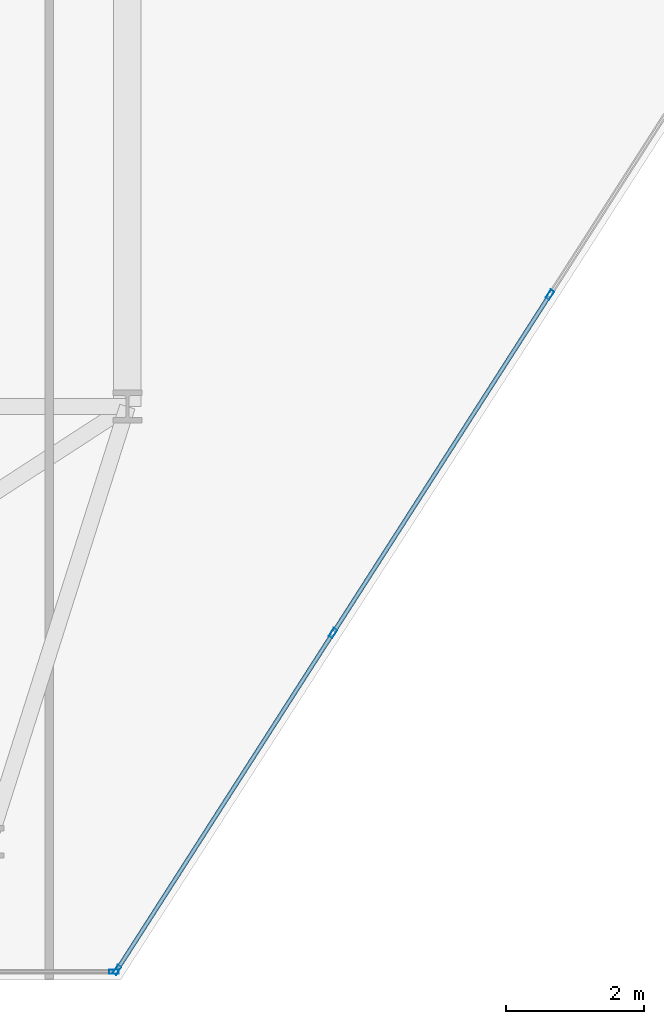
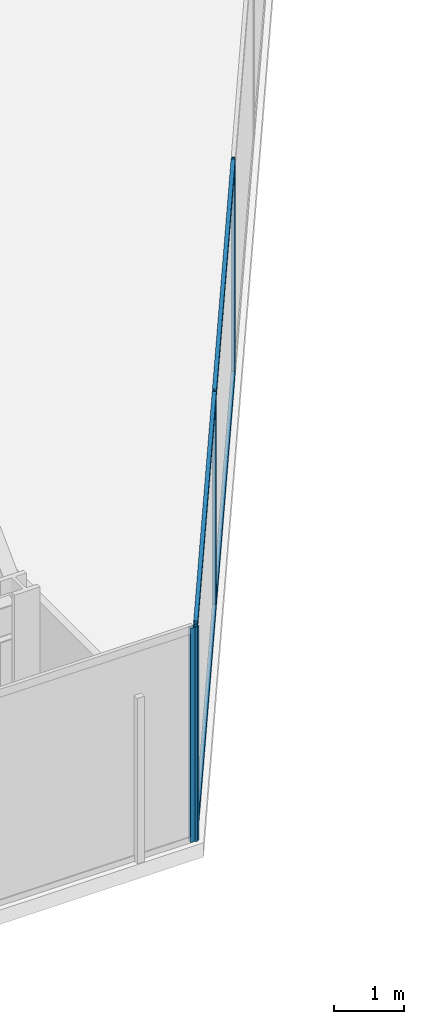
# One storey, part 7 of 26: 8 members, 2 elements without a shape of their own.
"""IFC4 building model written with IfcOpenShell, lengths in metres."""

from ifc_helpers import new_model, si_unit, direction, frame, origin, origin_2d, place, context, subcontext, project, spatial, hollow_rectangle, extrude, material, layer, layer_set, material_profile, profile_set, type_object, element, aggregate, save


model = new_model("IFC4")

# Units and contexts
model_context = context("Model", 3, precision=1e-05, world=origin(), true_north=direction((0.0, 1.0)))
body_context = subcontext(model_context, "Body", "Model", "MODEL_VIEW")
ifc_project = project(units=[si_unit("LENGTHUNIT", "METRE"), si_unit("AREAUNIT", "SQUARE_METRE"), si_unit("VOLUMEUNIT", "CUBIC_METRE"), si_unit("PLANEANGLEUNIT", "RADIAN"), si_unit("MASSUNIT", "GRAM", prefix="KILO")], contexts=[model_context])

# Site, building, storey
site_placement = place(None, origin())
site = spatial("IfcSite", under=ifc_project, at=site_placement, CompositionType="ELEMENT")
building_placement = place(site_placement, origin())
building = spatial("IfcBuilding", under=site, at=building_placement, Name="Kravanh Interchange Tower", CompositionType="ELEMENT")
storey_placement = place(building_placement, frame((0.0, 0.0, 120.0)))
storey = spatial("IfcBuildingStorey", under=building, at=storey_placement, Name="L28", CompositionType="ELEMENT", Elevation=120.0)

# Curtain wall, members
ifc_material_1 = material(Name="Anodised Bronze Aluminium", Category="aluminium")
ifc_layer = layer(ifc_material_1, 0.179931640625)
ifc_layer_set = layer_set([ifc_layer], Name="Unitised Curtain Wall System CW-Z2 Mid Office")
curtain_wall_type = type_object("IfcCurtainWallType", Name="Unitised Curtain Wall System CW-Z2 Mid Office", PredefinedType="NOTDEFINED", material=ifc_layer_set)
curtain_wall_1_placement = place(storey_placement, origin())
curtain_wall_1 = element("IfcCurtainWall", 1, at=curtain_wall_1_placement, inside=storey, type_object=curtain_wall_type, Name="L28 Unitised Curtain Wall CW-L28-05", PredefinedType="NOTDEFINED")
ifc_material_2 = material(Name="Anodised Bronze Aluminium", Category="aluminium")
ifc_material_profile_1 = material_profile(ifc_material_2, hollow_rectangle(XDim=0.06005859375, YDim=0.139892578125, WallThickness=0.00390625, at=origin_2d()), Name="ALU60X140X4")
ifc_profile_set_1 = profile_set([ifc_material_profile_1], Name="Anodised Bronze Aluminium")
member_type_1 = type_object("IfcMemberType", Name="Curtain Wall Mullion ALU60X140X4 Bronze", PredefinedType="MULLION", material=ifc_profile_set_1)
member_1_placement = place(storey_placement, frame((33.317138671875, 16.12109375, 0.0), z_axis=(0.0, 0.0, 1.0), x_axis=(0.841879939476, -0.539664865919, 0.0)))
member_1 = element("IfcMember", 2, at=member_1_placement, type_object=member_type_1, Name="CW-Z2 mullion 3", PredefinedType="MULLION", context=body_context, shape_type="SweptSolid", body=[
    extrude(hollow_rectangle(XDim=0.06005859375, YDim=0.139892578125, WallThickness=0.00390625, at=origin_2d()), origin(), (0.0, 0.0, 1.0), 3.75),
])
member_2_placement = place(storey_placement, frame((30.17578125, 11.220703125, 0.0), z_axis=(0.0, 0.0, 1.0), x_axis=(0.841879939476, -0.539664865919, 0.0)))
member_2 = element("IfcMember", 3, at=member_2_placement, type_object=member_type_1, Name="CW-Z2 mullion 4", PredefinedType="MULLION", context=body_context, shape_type="SweptSolid", body=[
    extrude(hollow_rectangle(XDim=0.06005859375, YDim=0.139892578125, WallThickness=0.00390625, at=origin_2d()), origin(), (0.0, 0.0, 1.0), 3.75),
])
member_3_placement = place(storey_placement, frame((27.050537109375, 6.34521484375, 0.0), z_axis=(0.0, 0.0, 1.0), x_axis=(0.841879939476, -0.539664865919, 0.0)))
member_3 = element("IfcMember", 4, at=member_3_placement, type_object=member_type_1, Name="CW-Z2 mullion 5", PredefinedType="MULLION", context=body_context, shape_type="SweptSolid", body=[
    extrude(hollow_rectangle(XDim=0.06005859375, YDim=0.139892578125, WallThickness=0.00390625, at=origin_2d()), origin(), (0.0, 0.0, 1.0), 3.75),
])

# Curtain wall, member
curtain_wall_2_placement = place(storey_placement, origin())
curtain_wall_2 = element("IfcCurtainWall", 5, at=curtain_wall_2_placement, inside=storey, type_object=curtain_wall_type, Name="L28 Unitised Curtain Wall CW-L28-06", PredefinedType="NOTDEFINED")
member_4_placement = place(storey_placement, frame((27.00439453125, 6.320068359375, 0.0), z_axis=(0.0, 0.0, 1.0), x_axis=(0.0, -1.0, 0.0)))
member_4 = element("IfcMember", 6, at=member_4_placement, type_object=member_type_1, Name="CW-Z2 mullion 1", PredefinedType="MULLION", context=body_context, shape_type="SweptSolid", body=[
    extrude(hollow_rectangle(XDim=0.06005859375, YDim=0.139892578125, WallThickness=0.00390625, at=origin_2d()), origin(), (0.0, 0.0, 1.0), 3.75),
])
aggregate(curtain_wall_2, [member_4])

# Member
ifc_material_3 = material(Name="Anodised Bronze Aluminium", Category="aluminium")
ifc_material_profile_2 = material_profile(ifc_material_3, hollow_rectangle(XDim=0.06005859375, YDim=0.139892578125, WallThickness=0.00390625, at=origin_2d()), Name="ALU60X140X4")
ifc_profile_set_2 = profile_set([ifc_material_profile_2], Name="Anodised Bronze Aluminium")
member_type_2 = type_object("IfcMemberType", Name="Curtain Wall Transom ALU60X140X4 Bronze", PredefinedType="USERDEFINED", material=ifc_profile_set_2)
member_5_placement = place(storey_placement, frame((33.301025390625, 16.095947265625, 0.030029296875), z_axis=(-0.539677666788, -0.84187173368, 0.0), x_axis=(0.84187173368, -0.539677666788, 0.0)))
member_5 = element("IfcMember", 7, at=member_5_placement, type_object=member_type_2, Name="CW-Z2 transom 3.1", ObjectType="TRANSOM", PredefinedType="USERDEFINED", context=body_context, shape_type="SweptSolid", body=[
    extrude(hollow_rectangle(XDim=0.06005859375, YDim=0.139892578125, WallThickness=0.00390625, at=origin_2d()), origin(), (0.0, 0.0, 1.0), 5.760986328125),
])

member_6_placement = place(storey_placement, frame((33.301025390625, 16.095947265625, 3.719970703125), z_axis=(-0.539677666788, -0.84187173368, 0.0), x_axis=(0.84187173368, -0.539677666788, 0.0)))
member_6 = element("IfcMember", 8, at=member_6_placement, type_object=member_type_2, Name="CW-Z2 transom 3.2", ObjectType="TRANSOM", PredefinedType="USERDEFINED", context=body_context, shape_type="SweptSolid", body=[
    extrude(hollow_rectangle(XDim=0.06005859375, YDim=0.139892578125, WallThickness=0.00390625, at=origin_2d()), origin(), (0.0, 0.0, 1.0), 5.760986328125),
])

member_7_placement = place(storey_placement, frame((30.15966796875, 11.1953125, 0.030029296875), z_axis=(-0.53966766312, -0.841878146398, 0.0), x_axis=(0.841878146398, -0.53966766312, 0.0)))
member_7 = element("IfcMember", 9, at=member_7_placement, type_object=member_type_2, Name="CW-Z2 transom 4.1", ObjectType="TRANSOM", PredefinedType="USERDEFINED", context=body_context, shape_type="SweptSolid", body=[
    extrude(hollow_rectangle(XDim=0.06005859375, YDim=0.139892578125, WallThickness=0.00390625, at=origin_2d()), origin(), (0.0, 0.0, 1.0), 5.73095703125),
])

member_8_placement = place(storey_placement, frame((30.15966796875, 11.1953125, 3.719970703125), z_axis=(-0.53966766312, -0.841878146398, 0.0), x_axis=(0.841878146398, -0.53966766312, 0.0)))
member_8 = element("IfcMember", 10, at=member_8_placement, type_object=member_type_2, Name="CW-Z2 transom 4.2", ObjectType="TRANSOM", PredefinedType="USERDEFINED", context=body_context, shape_type="SweptSolid", body=[
    extrude(hollow_rectangle(XDim=0.06005859375, YDim=0.139892578125, WallThickness=0.00390625, at=origin_2d()), origin(), (0.0, 0.0, 1.0), 5.73095703125),
])

aggregate(curtain_wall_1, [member_1, member_2, member_3, member_5, member_6, member_7, member_8])

save(model, "model.ifc")
